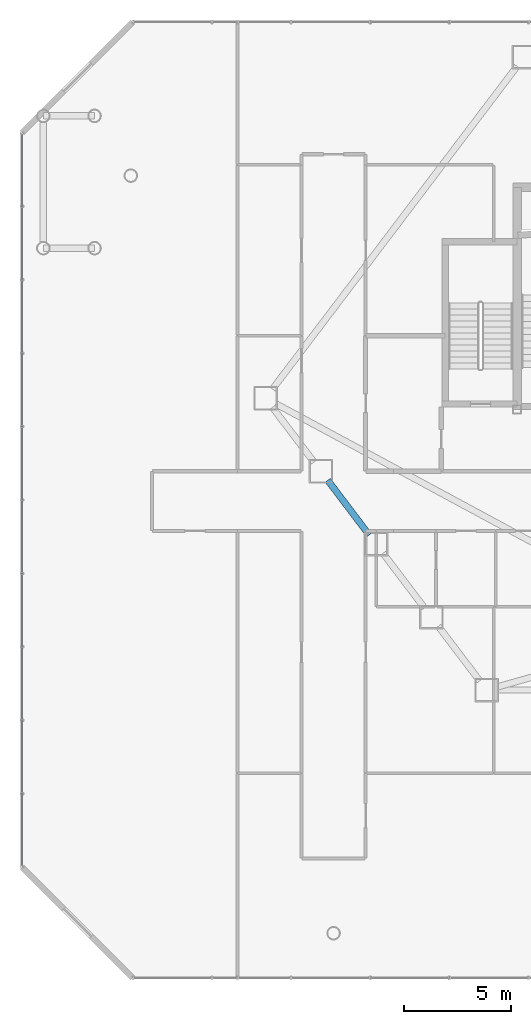
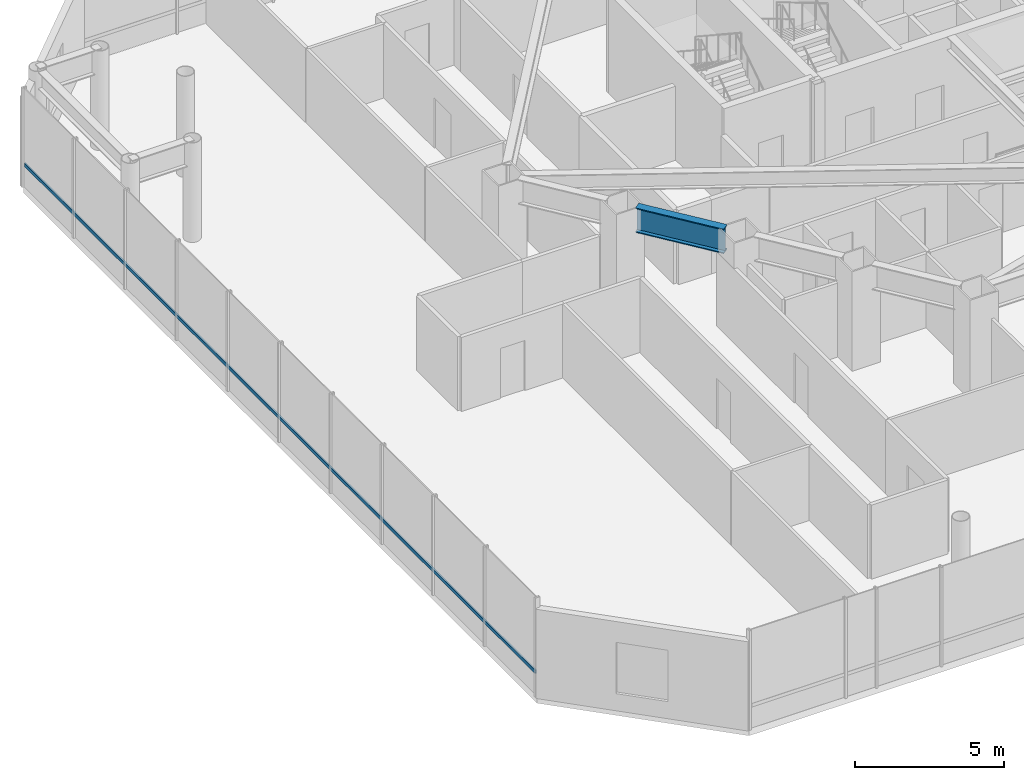
# One storey, part 9 of 33: 1 beam, 1 member, 1 element without a shape of its own.
"""IFC4 building model written with IfcOpenShell, lengths in metres."""

from ifc_helpers import new_model, si_unit, direction, frame, origin, origin_2d, place, context, subcontext, project, spatial, hollow_rectangle, i_section, extrude, material, layer, layer_set, material_profile, profile_set, type_object, element, aggregate, save


model = new_model("IFC4")

# Units and contexts
model_context = context("Model", 3, precision=1e-05, world=origin(), true_north=direction((0.0, 1.0)))
body_context = subcontext(model_context, "Body", "Model", "MODEL_VIEW")
ifc_project = project(units=[si_unit("LENGTHUNIT", "METRE"), si_unit("AREAUNIT", "SQUARE_METRE"), si_unit("VOLUMEUNIT", "CUBIC_METRE"), si_unit("PLANEANGLEUNIT", "RADIAN"), si_unit("MASSUNIT", "GRAM", prefix="KILO")], contexts=[model_context])

# Site, building, storey
site_placement = place(None, origin())
site = spatial("IfcSite", under=ifc_project, at=site_placement, CompositionType="ELEMENT")
building_placement = place(site_placement, origin())
building = spatial("IfcBuilding", under=site, at=building_placement, Name="Zarrinselat Tower", CompositionType="ELEMENT")
storey_placement = place(building_placement, frame((0.0, 0.0, 18.360107421875)))
storey = spatial("IfcBuildingStorey", under=building, at=storey_placement, Name="L04", CompositionType="ELEMENT", Elevation=18.360107421875)

# Beam
ifc_material_1 = material(Name="Steel S460M", Category="steel")
ifc_material_profile_1 = material_profile(ifc_material_1, i_section(OverallWidth=0.302001953125, OverallDepth=1.008056640625, WebThickness=0.02099609375, FlangeThickness=0.0400390625, at=origin_2d()), Name="HEM 1000")
ifc_profile_set_1 = profile_set([ifc_material_profile_1], Name="Steel S460M")
beam_type = type_object("IfcBeamType", Name="BM-HEM1000", PredefinedType="BEAM", material=ifc_profile_set_1)
beam_placement = place(storey_placement, frame((19.729736328125, 29.72119140625, 3.56591796875), z_axis=(0.6038723216, -0.797081061878, 0.0), x_axis=(0.797081061878, 0.6038723216, 0.0)))
element("IfcBeam", 1, at=beam_placement, inside=storey, type_object=beam_type, Name="L04 Perimeter Spandrel Girder SP07", PredefinedType="BEAM", context=body_context, shape_type="SweptSolid", body=[
    extrude(i_section(OverallWidth=0.302001953125, OverallDepth=1.008056640625, WebThickness=0.02099609375, FlangeThickness=0.0400390625, at=origin_2d()), origin(), (0.0, 0.0, 1.0), 3.212158203125),
])

# Curtain wall, member
ifc_material_2 = material(Name="Extruded Aluminium Alloy EN AW-6063 T6", Category="aluminium")
ifc_layer = layer(ifc_material_2, 0.2099609375)
ifc_layer_set = layer_set([ifc_layer], Name="Extruded Aluminium Alloy EN AW-6063 T6")
curtain_wall_type = type_object("IfcCurtainWallType", Name="CWS-POD", PredefinedType="NOTDEFINED", material=ifc_layer_set)
curtain_wall_placement = place(storey_placement, origin())
curtain_wall = element("IfcCurtainWall", 2, at=curtain_wall_placement, inside=storey, type_object=curtain_wall_type, Name="L04 Unitised Curtain Wall CW-L04-F7", PredefinedType="NOTDEFINED")
ifc_material_3 = material(Name="Extruded Aluminium Alloy EN AW-6063 T6", Category="aluminium")
ifc_material_profile_2 = material_profile(ifc_material_3, hollow_rectangle(XDim=0.06005859375, YDim=0.139892578125, WallThickness=0.00390625, at=origin_2d()), Name="RHS 140x60x4")
ifc_profile_set_2 = profile_set([ifc_material_profile_2], Name="Extruded Aluminium Alloy EN AW-6063 T6")
member_type = type_object("IfcMemberType", Name="MEM-CW-TRN", PredefinedType="USERDEFINED", material=ifc_profile_set_2)
member_placement = place(storey_placement, frame((5.39990234375, 45.909912109375, 0.949951171875), z_axis=(0.0, -1.0, 0.0), x_axis=(1.0, 0.0, 0.0)))
member = element("IfcMember", 3, at=member_placement, type_object=member_type, Name="CW-L04-F7 Transom 1", ObjectType="TRANSOM", PredefinedType="USERDEFINED", context=body_context, shape_type="SweptSolid", body=[
    extrude(hollow_rectangle(XDim=0.06005859375, YDim=0.139892578125, WallThickness=0.00390625, at=origin_2d()), origin(), (0.0, 0.0, 1.0), 34.219970703125),
])
aggregate(curtain_wall, [member])

save(model, "model.ifc")
